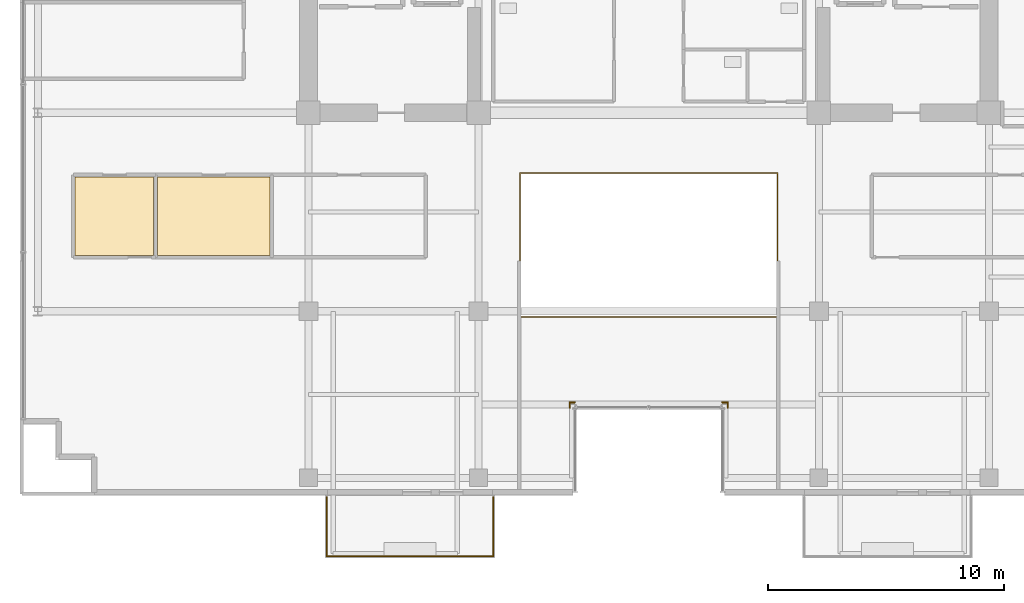
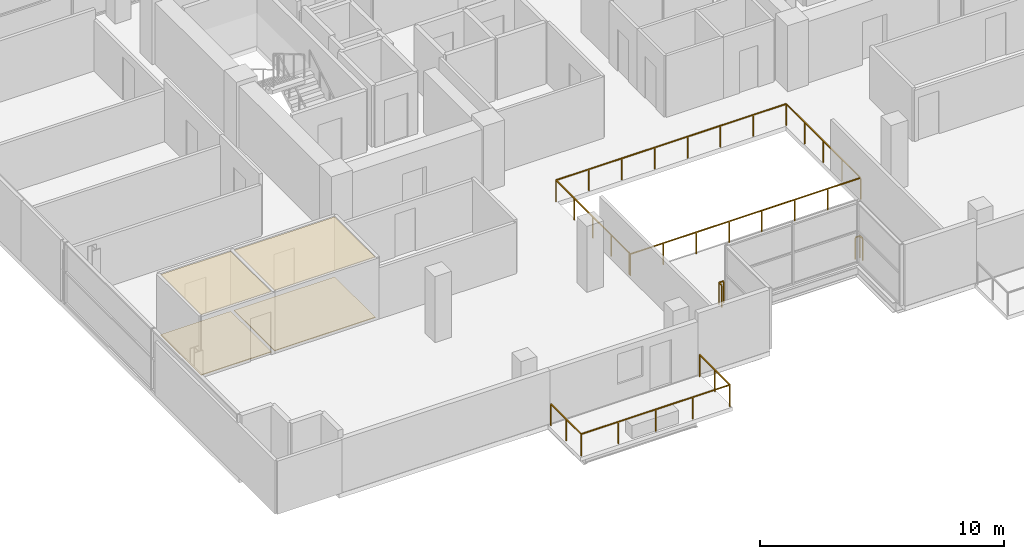
# One storey, part 22 of 25: 6 railings, 4 coverings.
"""IFC4 building model written with IfcOpenShell, lengths in metres."""

from ifc_helpers import new_model, si_unit, direction, frame, origin, origin_2d, place, context, subcontext, project, spatial, polyline, rectangle, outline, extrude, material, layer, layer_set, type_object, element, save


model = new_model("IFC4")

# Units and contexts
model_context = context("Model", 3, precision=1e-05, world=origin(), true_north=direction((0.0, 1.0)))
body_context = subcontext(model_context, "Body", "Model", "MODEL_VIEW")
ifc_project = project(units=[si_unit("LENGTHUNIT", "METRE"), si_unit("AREAUNIT", "SQUARE_METRE"), si_unit("VOLUMEUNIT", "CUBIC_METRE"), si_unit("PLANEANGLEUNIT", "RADIAN"), si_unit("MASSUNIT", "GRAM", prefix="KILO")], contexts=[model_context])

# Site, building, storey
site_placement = place(None, origin())
site = spatial("IfcSite", under=ifc_project, at=site_placement, CompositionType="ELEMENT")
building_placement = place(site_placement, origin())
building = spatial("IfcBuilding", under=site, at=building_placement, Name="Zarnakvel Exchange Tower", CompositionType="ELEMENT")
storey_placement = place(building_placement, frame((0.0, 0.0, 162.699951171875)))
storey = spatial("IfcBuildingStorey", under=building, at=storey_placement, Name="L45", CompositionType="ELEMENT", Elevation=162.699951171875)

# Coverings
ifc_material_1 = material(Name="Perforated Bronze Acoustic Metal Ceiling", Category="aluminium")
ifc_layer_1 = layer(ifc_material_1, 0.02001953125)
ifc_layer_set_1 = layer_set([ifc_layer_1], Name="Perforated Bronze Acoustic Metal Ceiling")
covering_type_1 = type_object("IfcCoveringType", Name="CLG-01", PredefinedType="CEILING", material=ifc_layer_set_1)
covering_1_placement = place(storey_placement, frame((0.0, 0.0, 3.01513671875)))
element("IfcCovering", 1, at=covering_1_placement, inside=storey, type_object=covering_type_1, Name="L45 Suspended Acoustic Ceiling (Quant Research Office)", PredefinedType="CEILING", context=body_context, shape_type="SweptSolid", body=[
    extrude(outline(polyline([(-24.2685546875, -3.909912109375), (-20.94775390625, -3.909912109375), (-20.94775390625, -7.239990234375), (-24.2685546875, -7.239990234375), (-24.2685546875, -3.909912109375)])), origin(), (0.0, 0.0, 1.0), 0.02001953125),
])
covering_2_placement = place(storey_placement, frame((0.0, 0.0, 3.01513671875)))
element("IfcCovering", 2, at=covering_2_placement, inside=storey, type_object=covering_type_1, Name="L45 Suspended Acoustic Ceiling (Conference Room)", PredefinedType="CEILING", context=body_context, shape_type="SweptSolid", body=[
    extrude(outline(polyline([(-20.78759765625, -3.909912109375), (-16.02294921875, -3.909912109375), (-16.02294921875, -7.239990234375), (-20.78759765625, -7.239990234375), (-20.78759765625, -3.909912109375)])), origin(), (0.0, 0.0, 1.0), 0.02001953125),
])
ifc_material_2 = material(Name="Heavy-Duty Raised Access Floor Panel", Category="steel")
ifc_layer_2 = layer(ifc_material_2, 0.034912109375)
ifc_layer_set_2 = layer_set([ifc_layer_2], Name="Heavy-Duty Raised Access Floor Panel")
covering_type_2 = type_object("IfcCoveringType", Name="FLR-02", PredefinedType="FLOORING", material=ifc_layer_set_2)
covering_3_placement = place(storey_placement, origin())
element("IfcCovering", 3, at=covering_3_placement, inside=storey, type_object=covering_type_2, Name="L45 Floor Finish (Quant Research Office)", PredefinedType="FLOORING", context=body_context, shape_type="SweptSolid", body=[
    extrude(outline(polyline([(-24.2685546875, -3.909912109375), (-20.94775390625, -3.909912109375), (-20.94775390625, -7.239990234375), (-24.2685546875, -7.239990234375), (-24.2685546875, -3.909912109375)])), origin(), (0.0, 0.0, 1.0), 0.03515625),
])
covering_4_placement = place(storey_placement, origin())
element("IfcCovering", 4, at=covering_4_placement, inside=storey, type_object=covering_type_2, Name="L45 Floor Finish (Conference Room)", PredefinedType="FLOORING", context=body_context, shape_type="SweptSolid", body=[
    extrude(outline(polyline([(-20.78759765625, -3.909912109375), (-16.02294921875, -3.909912109375), (-16.02294921875, -7.239990234375), (-20.78759765625, -7.239990234375), (-20.78759765625, -3.909912109375)])), origin(), (0.0, 0.0, 1.0), 0.03515625),
])

# Railings
ifc_material_3 = material(Name="Architectural Bronze Anodised Aluminium", Category="aluminium")
railing_type_1 = type_object("IfcRailingType", Name="GR-02", PredefinedType="GUARDRAIL", material=ifc_material_3)
railing_1_placement = place(storey_placement, frame((-13.6201171875, -17.47998046875, -0.034912109375)))
element("IfcRailing", 5, at=railing_1_placement, inside=storey, type_object=railing_type_1, Name="L45 Balcony Guardrail BAL-L45-SW", PredefinedType="GUARDRAIL", context=body_context, shape_type="SweptSolid", body=[
    extrude(rectangle(XDim=0.048095703125, YDim=0.048095703125, at=origin_2d()), frame((0.0, 0.0, 1.09619140625), z_axis=(0.0, -1.0, 0.0), x_axis=(1.0, 0.0, 0.0)), (0.0, 0.0, 1.0), 2.489990234375),
    extrude(rectangle(XDim=0.048095703125, YDim=0.048095703125, at=origin_2d()), frame((0.0, -2.489990234375, 1.09619140625), z_axis=(1.0, 0.0, 0.0), x_axis=(0.0, 1.0, 0.0)), (0.0, 0.0, 1.0), 7.0400390625),
    extrude(rectangle(XDim=0.048095703125, YDim=0.048095703125, at=origin_2d()), frame((7.0400390625, -2.489990234375, 1.09619140625), z_axis=(0.0, 1.0, 0.0), x_axis=(-1.0, 0.0, 0.0)), (0.0, 0.0, 1.0), 2.489990234375),
    extrude(rectangle(XDim=0.0419921875, YDim=0.0419921875, at=origin_2d()), origin(), (0.0, 0.0, 1.0), 1.072021484375),
    extrude(rectangle(XDim=0.0419921875, YDim=0.0419921875, at=origin_2d()), frame((0.0, -1.2451171875, 0.0)), (0.0, 0.0, 1.0), 1.072021484375),
    extrude(rectangle(XDim=0.0419921875, YDim=0.0419921875, at=origin_2d()), frame((0.0, -2.489990234375, 0.0)), (0.0, 0.0, 1.0), 1.072021484375),
    extrude(rectangle(XDim=0.0419921875, YDim=0.0419921875, at=origin_2d()), frame((1.760009765625, -2.489990234375, 0.0)), (0.0, 0.0, 1.0), 1.072021484375),
    extrude(rectangle(XDim=0.0419921875, YDim=0.0419921875, at=origin_2d()), frame((3.52001953125, -2.489990234375, 0.0)), (0.0, 0.0, 1.0), 1.072021484375),
    extrude(rectangle(XDim=0.0419921875, YDim=0.0419921875, at=origin_2d()), frame((5.280029296875, -2.489990234375, 0.0)), (0.0, 0.0, 1.0), 1.072021484375),
    extrude(rectangle(XDim=0.0419921875, YDim=0.0419921875, at=origin_2d()), frame((7.0400390625, -2.489990234375, 0.0)), (0.0, 0.0, 1.0), 1.072021484375),
    extrude(rectangle(XDim=0.0419921875, YDim=0.0419921875, at=origin_2d()), frame((7.0400390625, -1.2451171875, 0.0)), (0.0, 0.0, 1.0), 1.072021484375),
    extrude(rectangle(XDim=0.0419921875, YDim=0.0419921875, at=origin_2d()), frame((7.0400390625, 0.0, 0.0)), (0.0, 0.0, 1.0), 1.072021484375),
])
railing_2_placement = place(storey_placement, frame((3.340087890625, -13.679931640625, 0.0)))
element("IfcRailing", 6, at=railing_2_placement, inside=storey, type_object=railing_type_1, Name="L45 Corner Spandrel Balustrade #17", PredefinedType="GUARDRAIL", context=body_context, shape_type="SweptSolid", body=[
    extrude(rectangle(XDim=0.048095703125, YDim=0.048095703125, at=origin_2d()), frame((0.0, 0.0, 1.09619140625), z_axis=(0.0, 1.0, 0.0), x_axis=(-1.0, 0.0, 0.0)), (0.0, 0.0, 1.0), 0.219970703125),
    extrude(rectangle(XDim=0.0419921875, YDim=0.0419921875, at=origin_2d()), origin(), (0.0, 0.0, 1.0), 1.072021484375),
    extrude(rectangle(XDim=0.0419921875, YDim=0.0419921875, at=origin_2d()), frame((0.0, 0.219970703125, 0.0)), (0.0, 0.0, 1.0), 1.072021484375),
])
for number, where, name in (
    (7, (3.340087890625, -13.4599609375, 0.0), "L45 Corner Spandrel Balustrade #18"),
    (8, (-3.1201171875, -13.4599609375, 0.0), "L45 Corner Spandrel Balustrade #19"),
):
    element("IfcRailing", number, at=place(storey_placement, frame(where)), inside=storey, type_object=railing_type_1, Name=name, PredefinedType="GUARDRAIL", context=body_context, shape_type="SweptSolid", body=[
        extrude(rectangle(XDim=0.048095703125, YDim=0.048095703125, at=origin_2d()), frame((0.0, 0.0, 1.09619140625), z_axis=(-1.0, 0.0, 0.0), x_axis=(0.0, -1.0, 0.0)), (0.0, 0.0, 1.0), 0.219970703125),
        extrude(rectangle(XDim=0.0419921875, YDim=0.0419921875, at=origin_2d()), origin(), (0.0, 0.0, 1.0), 1.072021484375),
        extrude(rectangle(XDim=0.0419921875, YDim=0.0419921875, at=origin_2d()), frame((-0.219970703125, 0.0, 0.0)), (0.0, 0.0, 1.0), 1.072021484375),
    ])
railing_3_placement = place(storey_placement, frame((-3.340087890625, -13.4599609375, 0.0)))
element("IfcRailing", 9, at=railing_3_placement, inside=storey, type_object=railing_type_1, Name="L45 Corner Spandrel Balustrade #20", PredefinedType="GUARDRAIL", context=body_context, shape_type="SweptSolid", body=[
    extrude(rectangle(XDim=0.048095703125, YDim=0.048095703125, at=origin_2d()), frame((0.0, 0.0, 1.09619140625), z_axis=(0.0, -1.0, 0.0), x_axis=(1.0, 0.0, 0.0)), (0.0, 0.0, 1.0), 0.219970703125),
    extrude(rectangle(XDim=0.0419921875, YDim=0.0419921875, at=origin_2d()), origin(), (0.0, 0.0, 1.0), 1.072021484375),
    extrude(rectangle(XDim=0.0419921875, YDim=0.0419921875, at=origin_2d()), frame((0.0, -0.219970703125, 0.0)), (0.0, 0.0, 1.0), 1.072021484375),
])
railing_type_2 = type_object("IfcRailingType", Name="GR-03", PredefinedType="GUARDRAIL", material=ifc_material_3)
railing_4_placement = place(storey_placement, frame((-5.449951171875, -9.85009765625, 0.0)))
element("IfcRailing", 10, at=railing_4_placement, inside=storey, type_object=railing_type_2, Name="L45 Atrium Void Perimeter Balustrade", PredefinedType="GUARDRAIL", context=body_context, shape_type="SweptSolid", body=[
    extrude(rectangle(XDim=0.048095703125, YDim=0.048095703125, at=origin_2d()), frame((0.0, 0.0, 1.076171875), z_axis=(1.0, 0.0, 0.0), x_axis=(0.0, 1.0, 0.0)), (0.0, 0.0, 1.0), 10.89990234375),
    extrude(rectangle(XDim=0.048095703125, YDim=0.048095703125, at=origin_2d()), frame((10.89990234375, 0.0, 1.076171875), z_axis=(0.0, 1.0, 0.0), x_axis=(-1.0, 0.0, 0.0)), (0.0, 0.0, 1.0), 6.10009765625),
    extrude(rectangle(XDim=0.048095703125, YDim=0.048095703125, at=origin_2d()), frame((10.89990234375, 6.10009765625, 1.076171875), z_axis=(-1.0, 0.0, 0.0), x_axis=(0.0, -1.0, 0.0)), (0.0, 0.0, 1.0), 10.89990234375),
    extrude(rectangle(XDim=0.048095703125, YDim=0.048095703125, at=origin_2d()), frame((0.0, 6.10009765625, 1.076171875), z_axis=(0.0, -1.0, 0.0), x_axis=(1.0, 0.0, 0.0)), (0.0, 0.0, 1.0), 6.02001953125),
    extrude(rectangle(XDim=0.0419921875, YDim=0.0419921875, at=origin_2d()), origin(), (0.0, 0.0, 1.0), 1.052001953125),
    extrude(rectangle(XDim=0.0419921875, YDim=0.0419921875, at=origin_2d()), frame((1.55712890625, 0.0, 0.0)), (0.0, 0.0, 1.0), 1.052001953125),
    extrude(rectangle(XDim=0.0419921875, YDim=0.0419921875, at=origin_2d()), frame((3.1142578125, 0.0, 0.0)), (0.0, 0.0, 1.0), 1.052001953125),
    extrude(rectangle(XDim=0.0419921875, YDim=0.0419921875, at=origin_2d()), frame((4.67138671875, 0.0, 0.0)), (0.0, 0.0, 1.0), 1.052001953125),
    extrude(rectangle(XDim=0.0419921875, YDim=0.0419921875, at=origin_2d()), frame((6.228515625, 0.0, 0.0)), (0.0, 0.0, 1.0), 1.052001953125),
    extrude(rectangle(XDim=0.0419921875, YDim=0.0419921875, at=origin_2d()), frame((7.78564453125, 0.0, 0.0)), (0.0, 0.0, 1.0), 1.052001953125),
    extrude(rectangle(XDim=0.0419921875, YDim=0.0419921875, at=origin_2d()), frame((9.3427734375, 0.0, 0.0)), (0.0, 0.0, 1.0), 1.052001953125),
    extrude(rectangle(XDim=0.0419921875, YDim=0.0419921875, at=origin_2d()), frame((10.89990234375, 0.0, 0.0)), (0.0, 0.0, 1.0), 1.052001953125),
    extrude(rectangle(XDim=0.0419921875, YDim=0.0419921875, at=origin_2d()), frame((10.89990234375, 1.52490234375, 0.0)), (0.0, 0.0, 1.0), 1.052001953125),
    extrude(rectangle(XDim=0.0419921875, YDim=0.0419921875, at=origin_2d()), frame((10.89990234375, 3.050048828125, 0.0)), (0.0, 0.0, 1.0), 1.052001953125),
    extrude(rectangle(XDim=0.0419921875, YDim=0.0419921875, at=origin_2d()), frame((10.89990234375, 4.5751953125, 0.0)), (0.0, 0.0, 1.0), 1.052001953125),
    extrude(rectangle(XDim=0.0419921875, YDim=0.0419921875, at=origin_2d()), frame((10.89990234375, 6.10009765625, 0.0)), (0.0, 0.0, 1.0), 1.052001953125),
    extrude(rectangle(XDim=0.0419921875, YDim=0.0419921875, at=origin_2d()), frame((9.3427734375, 6.10009765625, 0.0)), (0.0, 0.0, 1.0), 1.052001953125),
    extrude(rectangle(XDim=0.0419921875, YDim=0.0419921875, at=origin_2d()), frame((7.78564453125, 6.10009765625, 0.0)), (0.0, 0.0, 1.0), 1.052001953125),
    extrude(rectangle(XDim=0.0419921875, YDim=0.0419921875, at=origin_2d()), frame((6.228515625, 6.10009765625, 0.0)), (0.0, 0.0, 1.0), 1.052001953125),
    extrude(rectangle(XDim=0.0419921875, YDim=0.0419921875, at=origin_2d()), frame((4.67138671875, 6.10009765625, 0.0)), (0.0, 0.0, 1.0), 1.052001953125),
    extrude(rectangle(XDim=0.0419921875, YDim=0.0419921875, at=origin_2d()), frame((3.1142578125, 6.10009765625, 0.0)), (0.0, 0.0, 1.0), 1.052001953125),
    extrude(rectangle(XDim=0.0419921875, YDim=0.0419921875, at=origin_2d()), frame((1.55712890625, 6.10009765625, 0.0)), (0.0, 0.0, 1.0), 1.052001953125),
    extrude(rectangle(XDim=0.0419921875, YDim=0.0419921875, at=origin_2d()), frame((0.0, 6.10009765625, 0.0)), (0.0, 0.0, 1.0), 1.052001953125),
    extrude(rectangle(XDim=0.0419921875, YDim=0.0419921875, at=origin_2d()), frame((0.0, 4.59521484375, 0.0)), (0.0, 0.0, 1.0), 1.052001953125),
    extrude(rectangle(XDim=0.0419921875, YDim=0.0419921875, at=origin_2d()), frame((0.0, 3.090087890625, 0.0)), (0.0, 0.0, 1.0), 1.052001953125),
    extrude(rectangle(XDim=0.0419921875, YDim=0.0419921875, at=origin_2d()), frame((0.0, 1.5849609375, 0.0)), (0.0, 0.0, 1.0), 1.052001953125),
    extrude(rectangle(XDim=0.0419921875, YDim=0.0419921875, at=origin_2d()), frame((0.0, 0.080078125, 0.0)), (0.0, 0.0, 1.0), 1.052001953125),
])

save(model, "model.ifc")
